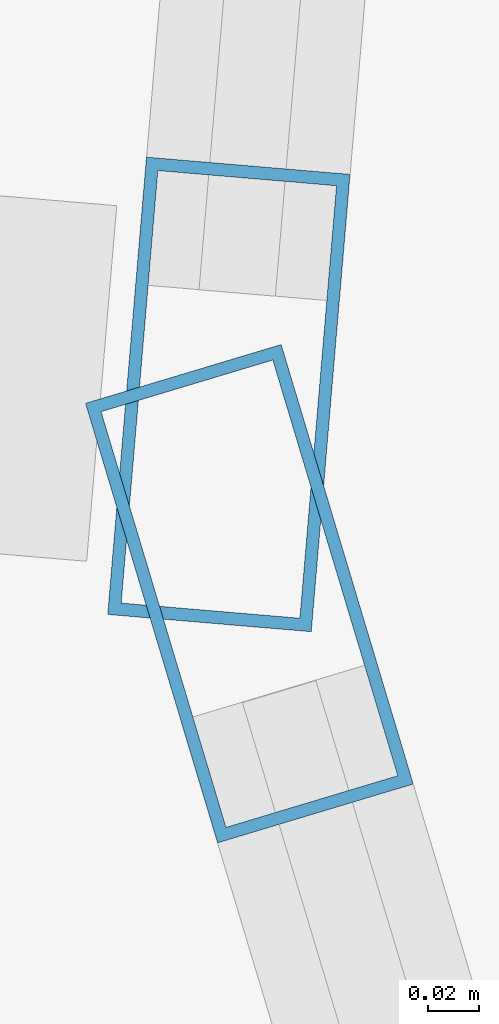
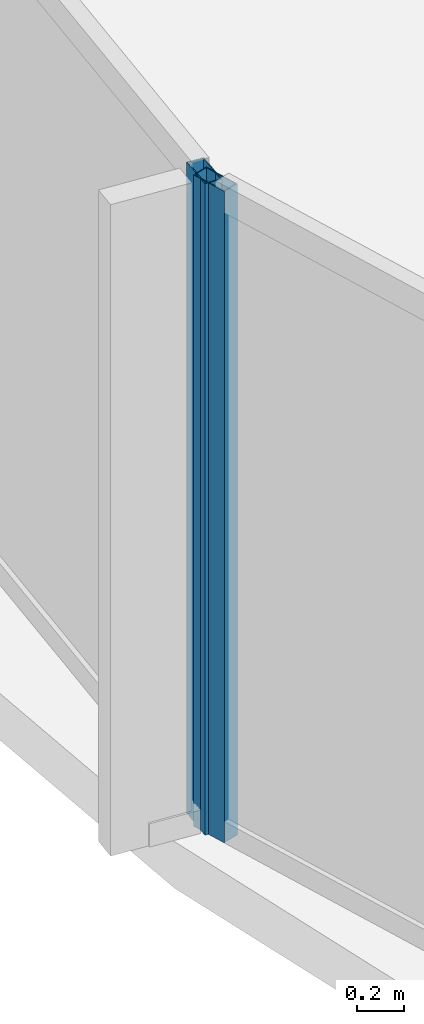
# One storey, part 8 of 30: 2 members, 2 elements without a shape of their own.
"""IFC4 building model written with IfcOpenShell, lengths in metres."""

from ifc_helpers import new_model, si_unit, direction, frame, origin, origin_2d, place, context, subcontext, project, spatial, hollow_rectangle, extrude, material, layer, layer_set, material_profile, profile_set, type_object, element, aggregate, save


model = new_model("IFC4")

# Units and contexts
model_context = context("Model", 3, precision=1e-05, world=origin(), true_north=direction((0.0, 1.0)))
body_context = subcontext(model_context, "Body", "Model", "MODEL_VIEW")
ifc_project = project(units=[si_unit("LENGTHUNIT", "METRE"), si_unit("AREAUNIT", "SQUARE_METRE"), si_unit("VOLUMEUNIT", "CUBIC_METRE"), si_unit("PLANEANGLEUNIT", "RADIAN"), si_unit("MASSUNIT", "GRAM", prefix="KILO")], contexts=[model_context])

# Site, building, storey
site_placement = place(None, origin())
site = spatial("IfcSite", under=ifc_project, at=site_placement, CompositionType="ELEMENT")
building_placement = place(site_placement, origin())
building = spatial("IfcBuilding", under=site, at=building_placement, Name="Kazevale Care Tower and Concert Hall", CompositionType="ELEMENT")
storey_placement = place(building_placement, frame((0.0, 0.0, 70.800048828125)))
storey = spatial("IfcBuildingStorey", under=building, at=storey_placement, Name="L18", CompositionType="ELEMENT", Elevation=70.800048828125)

# Curtain wall, member
ifc_material_1 = material(Name="Aluminium 6063-T6 and Low-E Glass", Category="aluminium")
ifc_layer = layer(ifc_material_1, 0.179931640625)
ifc_layer_set = layer_set([ifc_layer], Name="Aluminium 6063-T6 and Low-E Glass")
curtain_wall_type = type_object("IfcCurtainWallType", Name="Waist & Upper Residential Curtain Wall CW-4", PredefinedType="NOTDEFINED", material=ifc_layer_set)
curtain_wall_1_placement = place(storey_placement, origin())
curtain_wall_1 = element("IfcCurtainWall", 1, at=curtain_wall_1_placement, inside=storey, type_object=curtain_wall_type, Name="cw:L18:f12", PredefinedType="NOTDEFINED")
ifc_material_2 = material(Name="Aluminium 6063-T6", Category="aluminium")
ifc_material_profile = material_profile(ifc_material_2, hollow_rectangle(XDim=0.080078125, YDim=0.179931640625, WallThickness=0.0048828125, at=origin_2d()), Name="ALU80x180x5")
ifc_profile_set = profile_set([ifc_material_profile], Name="Aluminium 6063-T6")
member_type = type_object("IfcMemberType", Name="CW-4 Mullion ALU80x180x5", PredefinedType="MULLION", material=ifc_profile_set)
member_1_placement = place(storey_placement, frame((12.198486328125, 35.052734375, 0.0), z_axis=(0.0, 0.0, 1.0), x_axis=(-0.957661755703, -0.287895747909, 0.0)))
member_1 = element("IfcMember", 2, at=member_1_placement, type_object=member_type, Name="CW-4 mullion 2", PredefinedType="MULLION", context=body_context, shape_type="SweptSolid", body=[
    extrude(hollow_rectangle(XDim=0.080078125, YDim=0.179931640625, WallThickness=0.0048828125, at=origin_2d()), origin(), (0.0, 0.0, 1.0), 3.35986328125),
])
aggregate(curtain_wall_1, [member_1])

curtain_wall_2_placement = place(storey_placement, origin())
curtain_wall_2 = element("IfcCurtainWall", 3, at=curtain_wall_2_placement, inside=storey, type_object=curtain_wall_type, Name="cw:L18:f13", PredefinedType="NOTDEFINED")
member_2_placement = place(storey_placement, frame((12.1904296875, 35.130859375, 0.0), z_axis=(0.0, 0.0, 1.0), x_axis=(-0.996430849754, 0.084413041998, 0.0)))
member_2 = element("IfcMember", 4, at=member_2_placement, type_object=member_type, Name="CW-4 mullion 1", PredefinedType="MULLION", context=body_context, shape_type="SweptSolid", body=[
    extrude(hollow_rectangle(XDim=0.080078125, YDim=0.179931640625, WallThickness=0.0048828125, at=origin_2d()), origin(), (0.0, 0.0, 1.0), 3.35986328125),
])
aggregate(curtain_wall_2, [member_2])

save(model, "model.ifc")
